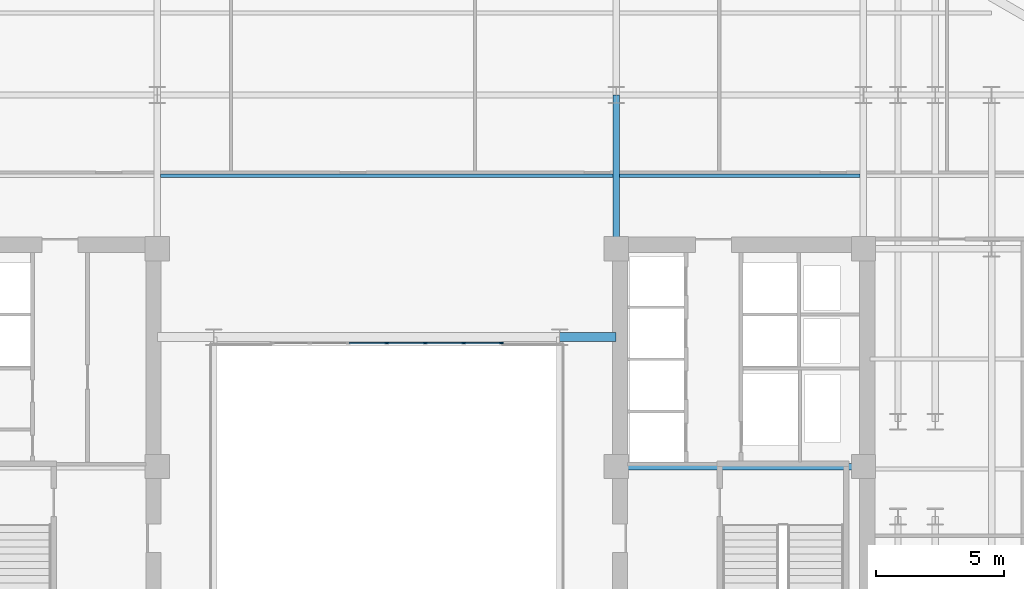
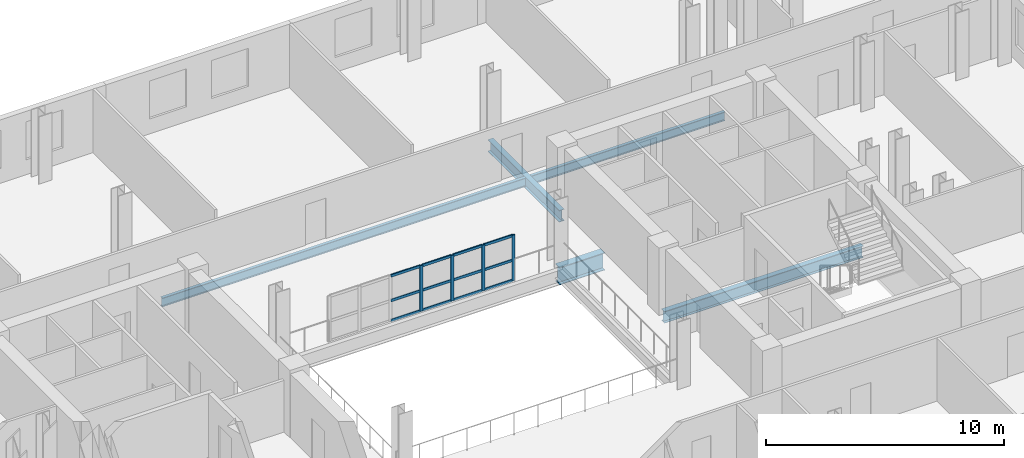
# One storey, part 4 of 12: 16 members, 5 beams, 1 element without a shape of its own.
"""IFC4 building model written with IfcOpenShell, lengths in metres."""

from ifc_helpers import new_model, si_unit, direction, frame, origin, origin_2d, place, context, subcontext, project, spatial, rectangle, i_section, extrude, material, layer, layer_set, material_profile, profile_set, type_object, element, aggregate, save


model = new_model("IFC4")

# Units and contexts
model_context = context("Model", 3, precision=1e-05, world=origin(), true_north=direction((0.0, 1.0)))
body_context = subcontext(model_context, "Body", "Model", "MODEL_VIEW")
ifc_project = project(units=[si_unit("LENGTHUNIT", "METRE"), si_unit("AREAUNIT", "SQUARE_METRE"), si_unit("VOLUMEUNIT", "CUBIC_METRE"), si_unit("PLANEANGLEUNIT", "RADIAN"), si_unit("MASSUNIT", "GRAM", prefix="KILO")], contexts=[model_context])

# Site, building, storey
site_placement = place(None, origin())
site = spatial("IfcSite", under=ifc_project, at=site_placement, CompositionType="ELEMENT")
building_placement = place(site_placement, origin())
building = spatial("IfcBuilding", under=site, at=building_placement, Name="Velakula Bourse", CompositionType="ELEMENT")
storey_placement = place(building_placement, frame((0.0, 0.0, 148.449951171875)))
storey = spatial("IfcBuildingStorey", under=building, at=storey_placement, Name="L40", CompositionType="ELEMENT", Elevation=148.449951171875)

# Beams
ifc_material_1 = material(Name="Steel IS 2062 Grade 350 (E350)", Category="steel")
ifc_material_profile_1 = material_profile(ifc_material_1, i_section(OverallWidth=0.25, OverallDepth=0.60009765625, WebThickness=0.01123046875, FlangeThickness=0.021240234375, at=origin_2d()), Name="Steel IS 2062 Grade 350 (E350)")
ifc_profile_set_1 = profile_set([ifc_material_profile_1], Name="Steel IS 2062 Grade 350 (E350)")
beam_type_1 = type_object("IfcBeamType", Name="BM-GRD-600M", PredefinedType="BEAM", material=ifc_profile_set_1)
beam_1_placement = place(storey_placement, frame((8.949951171875, 0.10009765625, -0.47998046875), z_axis=(1.0, 0.0, 0.0), x_axis=(0.0, 1.0, 0.0)))
element("IfcBeam", 1, at=beam_1_placement, inside=storey, type_object=beam_type_1, Name="L40 Primary Backbone Girder CRE-M", PredefinedType="BEAM", context=body_context, shape_type="SweptSolid", body=[
    extrude(i_section(OverallWidth=0.25, OverallDepth=0.60009765625, WebThickness=0.01123046875, FlangeThickness=0.021240234375, at=origin_2d()), origin(), (0.0, 0.0, 1.0), 9.650146484375),
])
beam_2_placement = place(storey_placement, frame((8.949951171875, 8.60009765625, -0.47998046875), z_axis=(0.0, 1.0, 0.0), x_axis=(-1.0, 0.0, 0.0)))
element("IfcBeam", 2, at=beam_2_placement, inside=storey, type_object=beam_type_1, Name="L40 Fulcrum Grid Girder FLC-ECN", PredefinedType="BEAM", context=body_context, shape_type="SweptSolid", body=[
    extrude(i_section(OverallWidth=0.25, OverallDepth=0.60009765625, WebThickness=0.01123046875, FlangeThickness=0.021240234375, at=origin_2d()), origin(), (0.0, 0.0, 1.0), 6.0),
])
ifc_material_profile_2 = material_profile(ifc_material_1, i_section(OverallWidth=0.35009765625, OverallDepth=0.89990234375, WebThickness=0.02001953125, FlangeThickness=0.031982421875, at=origin_2d()), Name="Steel IS 2062 Grade 350 (E350)")
ifc_profile_set_2 = profile_set([ifc_material_profile_2], Name="Steel IS 2062 Grade 350 (E350)")
beam_type_2 = type_object("IfcBeamType", Name="BM-LNK-900", PredefinedType="BEAM", material=ifc_profile_set_2)
beam_3_placement = place(storey_placement, frame((6.75, 5.14990234375, -0.6298828125), z_axis=(1.0, 0.0, 0.0), x_axis=(0.0, 1.0, 0.0)))
element("IfcBeam", 3, at=beam_3_placement, inside=storey, type_object=beam_type_2, Name="L40 Primary Backbone Girder LNK-N3", PredefinedType="BEAM", context=body_context, shape_type="SweptSolid", body=[
    extrude(i_section(OverallWidth=0.35009765625, OverallDepth=0.89990234375, WebThickness=0.02001953125, FlangeThickness=0.031982421875, at=origin_2d()), origin(), (0.0, 0.0, 1.0), 2.199951171875),
])
ifc_material_profile_3 = material_profile(ifc_material_1, i_section(OverallWidth=0.14990234375, OverallDepth=0.449951171875, WebThickness=0.009521484375, FlangeThickness=0.017333984375, at=origin_2d()), Name="Steel IS 2062 Grade 350 (E350)")
ifc_profile_set_3 = profile_set([ifc_material_profile_3], Name="Steel IS 2062 Grade 350 (E350)")
beam_type_3 = type_object("IfcBeamType", Name="JST-TWR-450", PredefinedType="JOIST", material=ifc_profile_set_3)
beam_4_placement = place(storey_placement, frame((-8.824951171875, 11.449951171875, -0.405029296875), z_axis=(1.0, 0.0, 0.0), x_axis=(0.0, 1.0, 0.0)))
element("IfcBeam", 4, at=beam_4_placement, inside=storey, type_object=beam_type_3, Name="L40 Trading Floor Composite Joist 13", PredefinedType="JOIST", context=body_context, shape_type="SweptSolid", body=[
    extrude(i_section(OverallWidth=0.14990234375, OverallDepth=0.449951171875, WebThickness=0.009521484375, FlangeThickness=0.017333984375, at=origin_2d()), origin(), (0.0, 0.0, 1.0), 17.64990234375),
])
beam_5_placement = place(storey_placement, frame((9.074951171875, 11.449951171875, -0.405029296875), z_axis=(1.0, 0.0, 0.0), x_axis=(0.0, 1.0, 0.0)))
element("IfcBeam", 5, at=beam_5_placement, inside=storey, type_object=beam_type_3, Name="L40 Trading Floor Composite Joist 14", PredefinedType="JOIST", context=body_context, shape_type="SweptSolid", body=[
    extrude(i_section(OverallWidth=0.14990234375, OverallDepth=0.449951171875, WebThickness=0.009521484375, FlangeThickness=0.017333984375, at=origin_2d()), origin(), (0.0, 0.0, 1.0), 9.400146484375),
])

# Curtain wall, members
ifc_material_2 = material(Name="Anodised bronze architectural aluminium", Category="aluminium")
ifc_layer = layer(ifc_material_2, 0.14990234375, Name="Anodised bronze architectural aluminium", Category="aluminium")
ifc_layer_set = layer_set([ifc_layer], Name="Anodised bronze architectural aluminium")
curtain_wall_type = type_object("IfcCurtainWallType", Name="CW-AT1", PredefinedType="NOTDEFINED", material=ifc_layer_set)
curtain_wall_placement = place(storey_placement, origin())
curtain_wall = element("IfcCurtainWall", 6, at=curtain_wall_placement, inside=storey, type_object=curtain_wall_type, Name="L40 Central Trading Atrium Fire-Rated Glazed Screen", PredefinedType="NOTDEFINED")
ifc_material_profile_4 = material_profile(ifc_material_2, rectangle(XDim=0.06005859375, YDim=0.14990234375, at=origin_2d()), Name="Anodised bronze architectural aluminium")
ifc_profile_set_4 = profile_set([ifc_material_profile_4], Name="Anodised bronze architectural aluminium")
member_type_1 = type_object("IfcMemberType", Name="MUL-CW-AT1", PredefinedType="MULLION", material=ifc_profile_set_4)
member_1_placement = place(storey_placement, frame((0.0, 4.919921875, 0.0), z_axis=(0.0, 0.0, 1.0), x_axis=(0.0, 1.0, 0.0)))
member_1 = element("IfcMember", 7, at=member_1_placement, type_object=member_type_1, Name="CW-AT1 mullion 4", PredefinedType="MULLION", context=body_context, shape_type="SweptSolid", body=[
    extrude(rectangle(XDim=0.06005859375, YDim=0.14990234375, at=origin_2d()), origin(), (0.0, 0.0, 1.0), 2.344970703125),
])
member_2_placement = place(storey_placement, frame((1.5, 4.919921875, 0.0), z_axis=(0.0, 0.0, 1.0), x_axis=(0.0, 1.0, 0.0)))
member_2 = element("IfcMember", 8, at=member_2_placement, type_object=member_type_1, Name="CW-AT1 mullion 5", PredefinedType="MULLION", context=body_context, shape_type="SweptSolid", body=[
    extrude(rectangle(XDim=0.06005859375, YDim=0.14990234375, at=origin_2d()), origin(), (0.0, 0.0, 1.0), 2.344970703125),
])
member_3_placement = place(storey_placement, frame((3.0, 4.919921875, 0.0), z_axis=(0.0, 0.0, 1.0), x_axis=(0.0, 1.0, 0.0)))
member_3 = element("IfcMember", 9, at=member_3_placement, type_object=member_type_1, Name="CW-AT1 mullion 6", PredefinedType="MULLION", context=body_context, shape_type="SweptSolid", body=[
    extrude(rectangle(XDim=0.06005859375, YDim=0.14990234375, at=origin_2d()), origin(), (0.0, 0.0, 1.0), 2.344970703125),
])
member_4_placement = place(storey_placement, frame((4.469970703125, 4.919921875, 0.0), z_axis=(0.0, 0.0, 1.0), x_axis=(0.0, 1.0, 0.0)))
member_4 = element("IfcMember", 10, at=member_4_placement, type_object=member_type_1, Name="CW-AT1 mullion 7", PredefinedType="MULLION", context=body_context, shape_type="SweptSolid", body=[
    extrude(rectangle(XDim=0.06005859375, YDim=0.14990234375, at=origin_2d()), origin(), (0.0, 0.0, 1.0), 2.344970703125),
])
ifc_material_profile_5 = material_profile(ifc_material_2, rectangle(XDim=0.06005859375, YDim=0.1298828125, at=origin_2d()), Name="Anodised bronze architectural aluminium")
ifc_profile_set_5 = profile_set([ifc_material_profile_5], Name="Anodised bronze architectural aluminium")
member_type_2 = type_object("IfcMemberType", Name="TRN-CW-AT1", PredefinedType="USERDEFINED", material=ifc_profile_set_5)
member_5_placement = place(storey_placement, frame((-1.469970703125, 4.919921875, 0.030029296875), z_axis=(1.0, 0.0, 0.0), x_axis=(0.0, 1.0, 0.0)))
member_5 = element("IfcMember", 11, at=member_5_placement, type_object=member_type_2, Name="CW-AT1 transom 3.1", ObjectType="TRANSOM", PredefinedType="USERDEFINED", context=body_context, shape_type="SweptSolid", body=[
    extrude(rectangle(XDim=0.06005859375, YDim=0.1298828125, at=origin_2d()), origin(), (0.0, 0.0, 1.0), 1.43994140625),
])
member_6_placement = place(storey_placement, frame((-1.469970703125, 4.919921875, 1.05517578125), z_axis=(1.0, 0.0, 0.0), x_axis=(0.0, 1.0, 0.0)))
member_6 = element("IfcMember", 12, at=member_6_placement, type_object=member_type_2, Name="CW-AT1 transom 3.2", ObjectType="TRANSOM", PredefinedType="USERDEFINED", context=body_context, shape_type="SweptSolid", body=[
    extrude(rectangle(XDim=0.06005859375, YDim=0.1298828125, at=origin_2d()), origin(), (0.0, 0.0, 1.0), 1.43994140625),
])
member_7_placement = place(storey_placement, frame((-1.469970703125, 4.919921875, 2.31494140625), z_axis=(1.0, 0.0, 0.0), x_axis=(0.0, 1.0, 0.0)))
member_7 = element("IfcMember", 13, at=member_7_placement, type_object=member_type_2, Name="CW-AT1 transom 3.3", ObjectType="TRANSOM", PredefinedType="USERDEFINED", context=body_context, shape_type="SweptSolid", body=[
    extrude(rectangle(XDim=0.06005859375, YDim=0.1298828125, at=origin_2d()), origin(), (0.0, 0.0, 1.0), 1.43994140625),
])
member_8_placement = place(storey_placement, frame((0.030029296875, 4.919921875, 0.030029296875), z_axis=(1.0, 0.0, 0.0), x_axis=(0.0, 1.0, 0.0)))
member_8 = element("IfcMember", 14, at=member_8_placement, type_object=member_type_2, Name="CW-AT1 transom 4.1", ObjectType="TRANSOM", PredefinedType="USERDEFINED", context=body_context, shape_type="SweptSolid", body=[
    extrude(rectangle(XDim=0.06005859375, YDim=0.1298828125, at=origin_2d()), origin(), (0.0, 0.0, 1.0), 1.43994140625),
])
member_9_placement = place(storey_placement, frame((0.030029296875, 4.919921875, 1.05517578125), z_axis=(1.0, 0.0, 0.0), x_axis=(0.0, 1.0, 0.0)))
member_9 = element("IfcMember", 15, at=member_9_placement, type_object=member_type_2, Name="CW-AT1 transom 4.2", ObjectType="TRANSOM", PredefinedType="USERDEFINED", context=body_context, shape_type="SweptSolid", body=[
    extrude(rectangle(XDim=0.06005859375, YDim=0.1298828125, at=origin_2d()), origin(), (0.0, 0.0, 1.0), 1.43994140625),
])
member_10_placement = place(storey_placement, frame((0.030029296875, 4.919921875, 2.31494140625), z_axis=(1.0, 0.0, 0.0), x_axis=(0.0, 1.0, 0.0)))
member_10 = element("IfcMember", 16, at=member_10_placement, type_object=member_type_2, Name="CW-AT1 transom 4.3", ObjectType="TRANSOM", PredefinedType="USERDEFINED", context=body_context, shape_type="SweptSolid", body=[
    extrude(rectangle(XDim=0.06005859375, YDim=0.1298828125, at=origin_2d()), origin(), (0.0, 0.0, 1.0), 1.43994140625),
])
member_11_placement = place(storey_placement, frame((1.530029296875, 4.919921875, 0.030029296875), z_axis=(1.0, 0.0, 0.0), x_axis=(0.0, 1.0, 0.0)))
member_11 = element("IfcMember", 17, at=member_11_placement, type_object=member_type_2, Name="CW-AT1 transom 5.1", ObjectType="TRANSOM", PredefinedType="USERDEFINED", context=body_context, shape_type="SweptSolid", body=[
    extrude(rectangle(XDim=0.06005859375, YDim=0.1298828125, at=origin_2d()), origin(), (0.0, 0.0, 1.0), 1.43994140625),
])
member_12_placement = place(storey_placement, frame((1.530029296875, 4.919921875, 1.05517578125), z_axis=(1.0, 0.0, 0.0), x_axis=(0.0, 1.0, 0.0)))
member_12 = element("IfcMember", 18, at=member_12_placement, type_object=member_type_2, Name="CW-AT1 transom 5.2", ObjectType="TRANSOM", PredefinedType="USERDEFINED", context=body_context, shape_type="SweptSolid", body=[
    extrude(rectangle(XDim=0.06005859375, YDim=0.1298828125, at=origin_2d()), origin(), (0.0, 0.0, 1.0), 1.43994140625),
])
member_13_placement = place(storey_placement, frame((1.530029296875, 4.919921875, 2.31494140625), z_axis=(1.0, 0.0, 0.0), x_axis=(0.0, 1.0, 0.0)))
member_13 = element("IfcMember", 19, at=member_13_placement, type_object=member_type_2, Name="CW-AT1 transom 5.3", ObjectType="TRANSOM", PredefinedType="USERDEFINED", context=body_context, shape_type="SweptSolid", body=[
    extrude(rectangle(XDim=0.06005859375, YDim=0.1298828125, at=origin_2d()), origin(), (0.0, 0.0, 1.0), 1.43994140625),
])
member_14_placement = place(storey_placement, frame((3.030029296875, 4.919921875, 0.030029296875), z_axis=(1.0, 0.0, 0.0), x_axis=(0.0, 1.0, 0.0)))
member_14 = element("IfcMember", 20, at=member_14_placement, type_object=member_type_2, Name="CW-AT1 transom 6.1", ObjectType="TRANSOM", PredefinedType="USERDEFINED", context=body_context, shape_type="SweptSolid", body=[
    extrude(rectangle(XDim=0.06005859375, YDim=0.1298828125, at=origin_2d()), origin(), (0.0, 0.0, 1.0), 1.409912109375),
])
member_15_placement = place(storey_placement, frame((3.030029296875, 4.919921875, 1.05517578125), z_axis=(1.0, 0.0, 0.0), x_axis=(0.0, 1.0, 0.0)))
member_15 = element("IfcMember", 21, at=member_15_placement, type_object=member_type_2, Name="CW-AT1 transom 6.2", ObjectType="TRANSOM", PredefinedType="USERDEFINED", context=body_context, shape_type="SweptSolid", body=[
    extrude(rectangle(XDim=0.06005859375, YDim=0.1298828125, at=origin_2d()), origin(), (0.0, 0.0, 1.0), 1.409912109375),
])
member_16_placement = place(storey_placement, frame((3.030029296875, 4.919921875, 2.31494140625), z_axis=(1.0, 0.0, 0.0), x_axis=(0.0, 1.0, 0.0)))
member_16 = element("IfcMember", 22, at=member_16_placement, type_object=member_type_2, Name="CW-AT1 transom 6.3", ObjectType="TRANSOM", PredefinedType="USERDEFINED", context=body_context, shape_type="SweptSolid", body=[
    extrude(rectangle(XDim=0.06005859375, YDim=0.1298828125, at=origin_2d()), origin(), (0.0, 0.0, 1.0), 1.409912109375),
])
aggregate(curtain_wall, [member_1, member_2, member_3, member_4, member_5, member_6, member_7, member_8, member_9, member_10, member_11, member_12, member_13, member_14, member_15, member_16])

save(model, "model.ifc")
